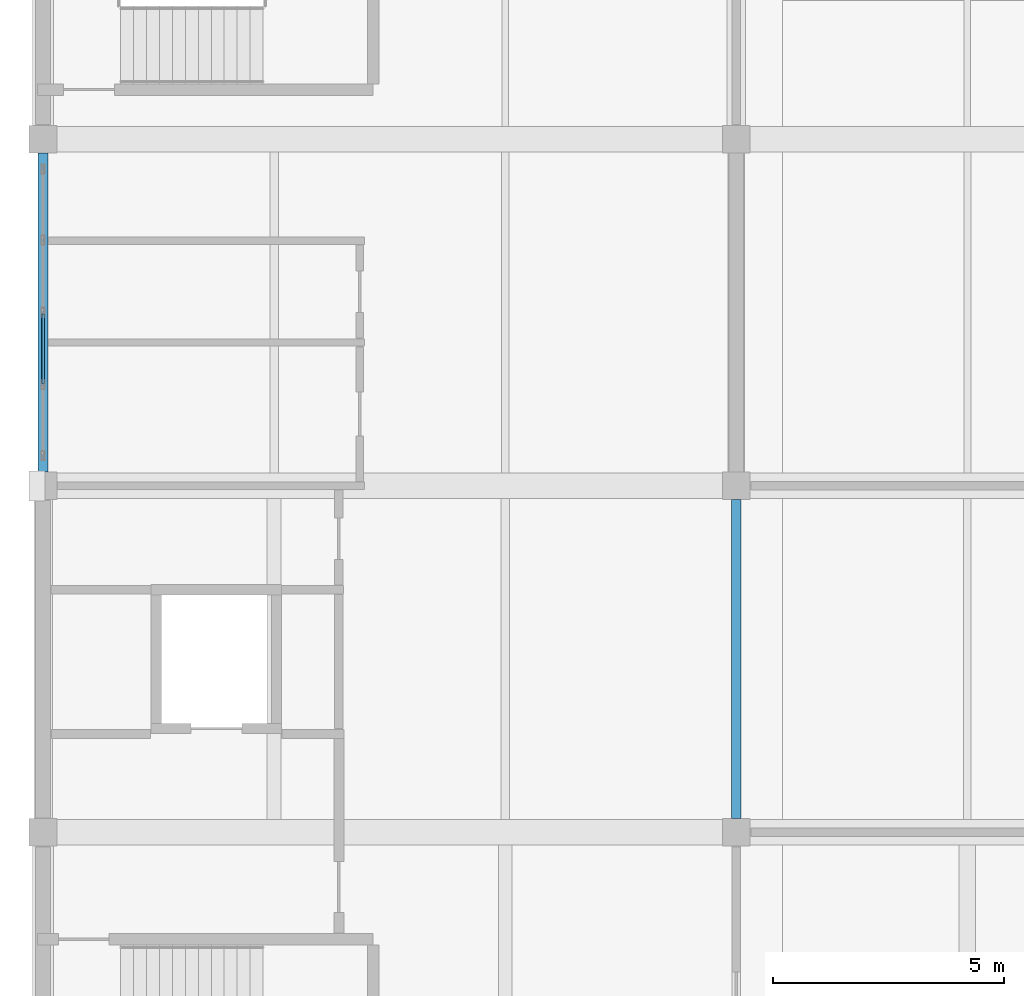
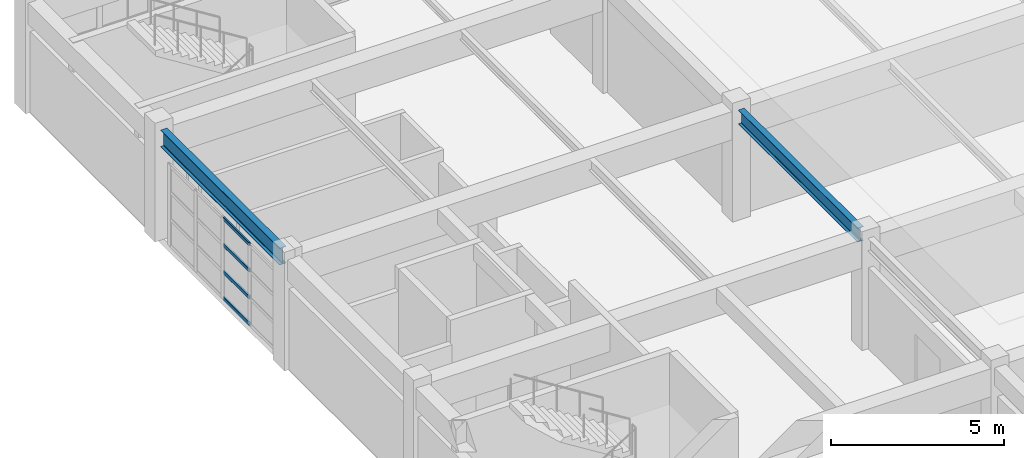
# One storey, part 16 of 124: 4 members, 2 beams, 1 element without a shape of its own.
"""IFC4 building model written with IfcOpenShell, lengths in metres."""

from ifc_helpers import new_model, si_unit, direction, frame, origin, origin_2d, place, context, subcontext, project, spatial, hollow_rectangle, i_section, extrude, material, material_profile, profile_set, type_object, element, aggregate, save


model = new_model("IFC4")

# Units and contexts
model_context = context("Model", 3, precision=1e-05, world=origin(), true_north=direction((0.0, 1.0)))
body_context = subcontext(model_context, "Body", "Model", "MODEL_VIEW")
ifc_project = project(units=[si_unit("LENGTHUNIT", "METRE"), si_unit("AREAUNIT", "SQUARE_METRE"), si_unit("VOLUMEUNIT", "CUBIC_METRE"), si_unit("PLANEANGLEUNIT", "RADIAN"), si_unit("MASSUNIT", "GRAM", prefix="KILO")], contexts=[model_context])

# Site, building, storey
site_placement = place(None, origin())
site = spatial("IfcSite", under=ifc_project, at=site_placement, CompositionType="ELEMENT")
building_placement = place(site_placement, origin())
building = spatial("IfcBuilding", under=site, at=building_placement, Name="Qasida Concert Hall", CompositionType="ELEMENT")
storey_placement = place(building_placement, frame((0.0, 0.0, 9.0)))
storey = spatial("IfcBuildingStorey", under=building, at=storey_placement, Name="L02", CompositionType="ELEMENT", Elevation=9.0)

# Beams
ifc_material_1 = material(Name="Steel S355J2", Category="steel")
ifc_material_profile_1 = material_profile(ifc_material_1, i_section(OverallWidth=0.199951171875, OverallDepth=0.5, WebThickness=0.01025390625, FlangeThickness=0.01611328125, FilletRadius=0.02099609375, at=origin_2d()), Name="IPE 500")
ifc_profile_set_1 = profile_set([ifc_material_profile_1], Name="Steel S355J2")
beam_type_1 = type_object("IfcBeamType", Name="BM-B4", PredefinedType="BEAM", material=ifc_profile_set_1)
beam_1_placement = place(storey_placement, frame((15.0, 30.300048828125, 3.64990234375), z_axis=(0.0, 1.0, 0.0), x_axis=(-1.0, 0.0, 0.0)))
element("IfcBeam", 1, at=beam_1_placement, inside=storey, type_object=beam_type_1, Name="L02 girder 1304", PredefinedType="BEAM", context=body_context, shape_type="SweptSolid", body=[
    extrude(i_section(OverallWidth=0.199951171875, OverallDepth=0.5, WebThickness=0.01025390625, FlangeThickness=0.01611328125, FilletRadius=0.02099609375, at=origin_2d()), origin(), (0.0, 0.0, 1.0), 6.89990234375),
])
ifc_material_profile_2 = material_profile(ifc_material_1, i_section(OverallWidth=0.219970703125, OverallDepth=0.60009765625, WebThickness=0.011962890625, FlangeThickness=0.01904296875, FilletRadius=0.02392578125, at=origin_2d()), Name="IPE 600")
ifc_profile_set_2 = profile_set([ifc_material_profile_2], Name="Steel S355J2")
beam_type_2 = type_object("IfcBeamType", Name="BM-SP3", PredefinedType="SPANDREL", material=ifc_profile_set_2)
beam_2_placement = place(storey_placement, frame((0.0, 37.800048828125, 3.60009765625), z_axis=(0.0, 1.0, 0.0), x_axis=(-1.0, 0.0, 0.0)))
element("IfcBeam", 2, at=beam_2_placement, inside=storey, type_object=beam_type_2, Name="L02 girder 1298", PredefinedType="SPANDREL", context=body_context, shape_type="SweptSolid", body=[
    extrude(i_section(OverallWidth=0.219970703125, OverallDepth=0.60009765625, WebThickness=0.011962890625, FlangeThickness=0.01904296875, FilletRadius=0.02392578125, at=origin_2d()), origin(), (0.0, 0.0, 1.0), 6.89990234375),
])

# Curtain wall, members
ifc_material_2 = material(Name="Architectural bronze-anodized aluminium and low-E glass", Category="aluminium")
curtain_wall_type = type_object("IfcCurtainWallType", Name="CW-08", PredefinedType="NOTDEFINED", material=ifc_material_2)
curtain_wall_placement = place(storey_placement, origin())
curtain_wall = element("IfcCurtainWall", 3, at=curtain_wall_placement, inside=storey, type_object=curtain_wall_type, Name="L02 curtain wall CW-08 0114", PredefinedType="NOTDEFINED")
ifc_material_3 = material(Name="Architectural bronze-anodized aluminium EN AW-6063", Category="aluminium")
ifc_material_profile_3 = material_profile(ifc_material_3, hollow_rectangle(XDim=0.06005859375, YDim=0.1201171875, WallThickness=0.00390625, InnerFilletRadius=0.00390625, OuterFilletRadius=0.008056640625, at=origin_2d()), Name="CWT 120x60x4")
ifc_profile_set_3 = profile_set([ifc_material_profile_3], Name="Architectural bronze-anodized aluminium EN AW-6063")
member_type = type_object("IfcMemberType", Name="MB-CWT-2", PredefinedType="USERDEFINED", material=ifc_profile_set_3)
member_1_placement = place(storey_placement, frame((0.0, 39.717529296875, 0.030029296875), z_axis=(0.0, 1.0, 0.0), x_axis=(-1.0, 0.0, 0.0)))
member_1 = element("IfcMember", 4, at=member_1_placement, type_object=member_type, Name="CW-08 transom 2.1", ObjectType="TRANSOM", PredefinedType="USERDEFINED", context=body_context, shape_type="SweptSolid", body=[
    extrude(hollow_rectangle(XDim=0.06005859375, YDim=0.1201171875, WallThickness=0.00390625, InnerFilletRadius=0.00390625, OuterFilletRadius=0.008056640625, at=origin_2d()), origin(), (0.0, 0.0, 1.0), 1.5),
])
member_2_placement = place(storey_placement, frame((0.0, 39.717529296875, 0.956787109375), z_axis=(0.0, 1.0, 0.0), x_axis=(-1.0, 0.0, 0.0)))
member_2 = element("IfcMember", 5, at=member_2_placement, type_object=member_type, Name="CW-08 transom 2.2", ObjectType="TRANSOM", PredefinedType="USERDEFINED", context=body_context, shape_type="SweptSolid", body=[
    extrude(hollow_rectangle(XDim=0.06005859375, YDim=0.1201171875, WallThickness=0.00390625, InnerFilletRadius=0.00390625, OuterFilletRadius=0.008056640625, at=origin_2d()), origin(), (0.0, 0.0, 1.0), 1.5),
])
member_3_placement = place(storey_placement, frame((0.0, 39.717529296875, 1.913330078125), z_axis=(0.0, 1.0, 0.0), x_axis=(-1.0, 0.0, 0.0)))
member_3 = element("IfcMember", 6, at=member_3_placement, type_object=member_type, Name="CW-08 transom 2.3", ObjectType="TRANSOM", PredefinedType="USERDEFINED", context=body_context, shape_type="SweptSolid", body=[
    extrude(hollow_rectangle(XDim=0.06005859375, YDim=0.1201171875, WallThickness=0.00390625, InnerFilletRadius=0.00390625, OuterFilletRadius=0.008056640625, at=origin_2d()), origin(), (0.0, 0.0, 1.0), 1.5),
])
member_4_placement = place(storey_placement, frame((0.0, 39.717529296875, 2.840087890625), z_axis=(0.0, 1.0, 0.0), x_axis=(-1.0, 0.0, 0.0)))
member_4 = element("IfcMember", 7, at=member_4_placement, type_object=member_type, Name="CW-08 transom 2.4", ObjectType="TRANSOM", PredefinedType="USERDEFINED", context=body_context, shape_type="SweptSolid", body=[
    extrude(hollow_rectangle(XDim=0.06005859375, YDim=0.1201171875, WallThickness=0.00390625, InnerFilletRadius=0.00390625, OuterFilletRadius=0.008056640625, at=origin_2d()), origin(), (0.0, 0.0, 1.0), 1.5),
])
aggregate(curtain_wall, [member_1, member_2, member_3, member_4])

save(model, "model.ifc")
